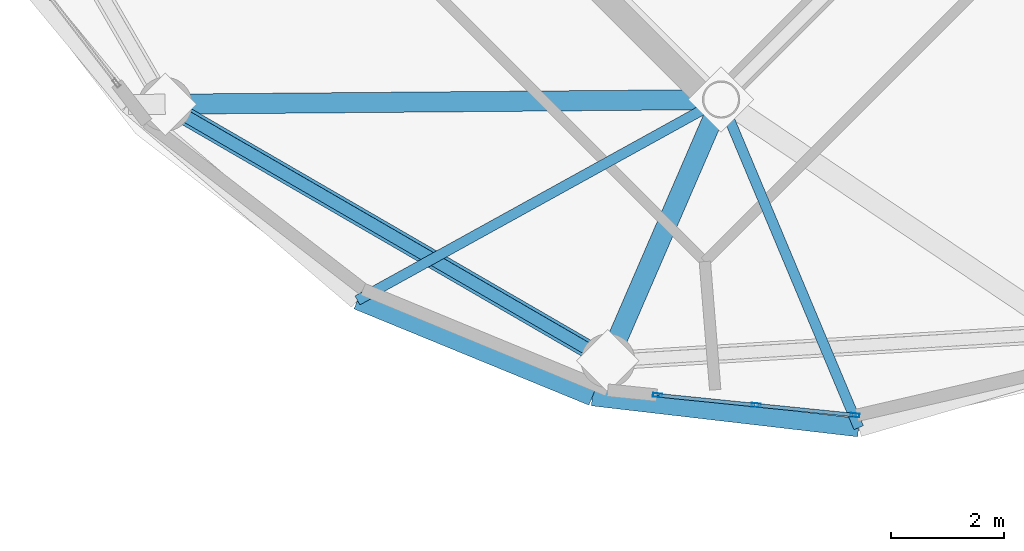
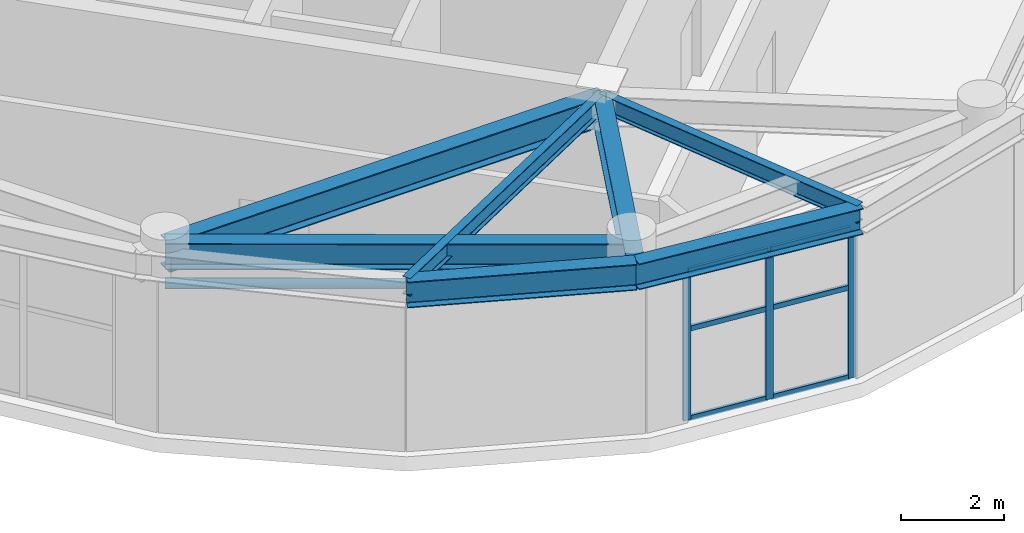
# One storey, part 13 of 26: 10 members, 7 beams, 1 element without a shape of its own.
"""IFC4 building model written with IfcOpenShell, lengths in metres."""

from ifc_helpers import new_model, si_unit, direction, frame, origin, origin_2d, place, context, subcontext, project, spatial, hollow_rectangle, hollow_circle, i_section, extrude, material, layer, layer_set, material_profile, profile_set, type_object, element, aggregate, save


model = new_model("IFC4")

# Units and contexts
model_context = context("Model", 3, precision=1e-05, world=origin(), true_north=direction((0.0, 1.0)))
body_context = subcontext(model_context, "Body", "Model", "MODEL_VIEW")
ifc_project = project(units=[si_unit("LENGTHUNIT", "METRE"), si_unit("AREAUNIT", "SQUARE_METRE"), si_unit("VOLUMEUNIT", "CUBIC_METRE"), si_unit("PLANEANGLEUNIT", "RADIAN"), si_unit("MASSUNIT", "GRAM", prefix="KILO")], contexts=[model_context])

# Site, building, storey
site_placement = place(None, origin())
site = spatial("IfcSite", under=ifc_project, at=site_placement, CompositionType="ELEMENT")
building_placement = place(site_placement, origin())
building = spatial("IfcBuilding", under=site, at=building_placement, Name="Cununo Teusaquillo Station Towers", CompositionType="ELEMENT")
storey_placement = place(building_placement, frame((0.0, 0.0, 240.330078125)))
storey = spatial("IfcBuildingStorey", under=building, at=storey_placement, Name="L76", CompositionType="ELEMENT", Elevation=240.330078125)

# Beams
ifc_material_1 = material(Name="Steel ASTM A572 Grade 50", Category="steel")
ifc_material_profile_1 = material_profile(ifc_material_1, i_section(OverallWidth=0.180908203125, OverallDepth=0.4169921875, WebThickness=0.010986328125, FlangeThickness=0.018310546875, FilletRadius=0.012939453125, at=origin_2d()), Name="W16X57")
ifc_profile_set_1 = profile_set([ifc_material_profile_1], Name="Steel ASTM A572 Grade 50")
beam_type_1 = type_object("IfcBeamType", Name="BM-JOIST-1", PredefinedType="JOIST", material=ifc_profile_set_1)
beam_1_placement = place(storey_placement, frame((58.70556640625, 15.975830078125, 3.991455078125), z_axis=(-0.8753153358, -0.483552544108, 0.0), x_axis=(0.483552544108, -0.8753153358, 0.0)))
element("IfcBeam", 1, at=beam_1_placement, inside=storey, type_object=beam_type_1, Name="L76 Tower B Radial Spandrel Joist V11", PredefinedType="JOIST", context=body_context, shape_type="SweptSolid", body=[
    extrude(i_section(OverallWidth=0.180908203125, OverallDepth=0.4169921875, WebThickness=0.010986328125, FlangeThickness=0.018310546875, FilletRadius=0.012939453125, at=origin_2d()), origin(), (0.0, 0.0, 1.0), 7.3330078125),
])
beam_2_placement = place(storey_placement, frame((58.70556640625, 15.975830078125, 3.991455078125), z_axis=(0.386786389381, -0.922169338565, 0.0), x_axis=(0.922169338565, 0.386786389381, 0.0)))
element("IfcBeam", 2, at=beam_2_placement, inside=storey, type_object=beam_type_1, Name="L76 Tower B Radial Spandrel Joist V13", PredefinedType="JOIST", context=body_context, shape_type="SweptSolid", body=[
    extrude(i_section(OverallWidth=0.180908203125, OverallDepth=0.4169921875, WebThickness=0.010986328125, FlangeThickness=0.018310546875, FilletRadius=0.012939453125, at=origin_2d()), origin(), (0.0, 0.0, 1.0), 6.281005859375),
])
ifc_material_2 = material(Name="Steel ASTM A572 Grade 50", Category="steel")
ifc_material_profile_2 = material_profile(ifc_material_2, i_section(OverallWidth=0.35498046875, OverallDepth=0.696044921875, WebThickness=0.015380859375, FlangeThickness=0.02490234375, FilletRadius=0.01806640625, at=origin_2d()), Name="W27X146")
ifc_profile_set_2 = profile_set([ifc_material_profile_2], Name="Steel ASTM A572 Grade 50")
beam_type_2 = type_object("IfcBeamType", Name="BM-PLNT-G1", PredefinedType="BEAM", material=ifc_profile_set_2)
beam_3_placement = place(storey_placement, frame((58.70556640625, 15.975830078125, 3.851806640625), z_axis=(-0.999964431382, -0.008434214327, 0.0), x_axis=(0.008434214327, -0.999964431382, 0.0)))
element("IfcBeam", 3, at=beam_3_placement, inside=storey, type_object=beam_type_2, Name="L76 Tower B Radial Girder 06A", PredefinedType="BEAM", context=body_context, shape_type="SweptSolid", body=[
    extrude(i_section(OverallWidth=0.35498046875, OverallDepth=0.696044921875, WebThickness=0.015380859375, FlangeThickness=0.02490234375, FilletRadius=0.01806640625, at=origin_2d()), origin(), (0.0, 0.0, 1.0), 9.812744140625),
])
beam_4_placement = place(storey_placement, frame((58.70556640625, 15.975830078125, 3.851806640625), z_axis=(-0.397354530893, -0.917665176837, 0.0), x_axis=(0.917665176837, -0.397354530893, 0.0)))
element("IfcBeam", 4, at=beam_4_placement, inside=storey, type_object=beam_type_2, Name="L76 Tower B Continuous Overhanging Radial Girder 07", PredefinedType="BEAM", context=body_context, shape_type="SweptSolid", body=[
    extrude(i_section(OverallWidth=0.35498046875, OverallDepth=0.696044921875, WebThickness=0.015380859375, FlangeThickness=0.02490234375, FilletRadius=0.01806640625, at=origin_2d()), origin(), (0.0, 0.0, 1.0), 5.716552734375),
])
ifc_material_3 = material(Name="Steel ASTM A572 Grade 50", Category="steel")
ifc_material_profile_3 = material_profile(ifc_material_3, i_section(OverallWidth=0.324951171875, OverallDepth=0.615966796875, WebThickness=0.013916015625, FlangeThickness=0.021484375, FilletRadius=0.01611328125, at=origin_2d()), Name="W24X117")
ifc_profile_set_3 = profile_set([ifc_material_profile_3], Name="Steel ASTM A572 Grade 50")
beam_type_3 = type_object("IfcBeamType", Name="BM-PLNT-G2", PredefinedType="BEAM", material=ifc_profile_set_3)
beam_5_placement = place(storey_placement, frame((48.89306640625, 15.89306640625, 3.891845703125), z_axis=(0.865267103202, -0.501311121078, 0.0), x_axis=(0.501311121078, 0.865267103202, 0.0)))
element("IfcBeam", 5, at=beam_5_placement, inside=storey, type_object=beam_type_3, Name="L76 Tower B Structural Column Ring Girder 06", PredefinedType="BEAM", context=body_context, shape_type="SweptSolid", body=[
    extrude(i_section(OverallWidth=0.324951171875, OverallDepth=0.615966796875, WebThickness=0.013916015625, FlangeThickness=0.021484375, FilletRadius=0.01611328125, at=origin_2d()), origin(), (0.0, 0.0, 1.0), 9.032958984375),
])
beam_6_placement = place(storey_placement, frame((52.286865234375, 12.429931640625, 3.891845703125), z_axis=(0.925283830437, -0.379275405388, 0.0), x_axis=(0.379275405388, 0.925283830437, 0.0)))
element("IfcBeam", 6, at=beam_6_placement, inside=storey, type_object=beam_type_3, Name="L76 Tower B Spandrel Ring Beam 12", PredefinedType="BEAM", context=body_context, shape_type="SweptSolid", body=[
    extrude(i_section(OverallWidth=0.324951171875, OverallDepth=0.615966796875, WebThickness=0.013916015625, FlangeThickness=0.021484375, FilletRadius=0.01611328125, at=origin_2d()), origin(), (0.0, 0.0, 1.0), 4.482177734375),
])
beam_7_placement = place(storey_placement, frame((56.43408203125, 10.72998046875, 3.891845703125), z_axis=(0.993313022334, -0.115452326356, 0.0), x_axis=(0.115452326356, 0.993313022334, 0.0)))
element("IfcBeam", 7, at=beam_7_placement, inside=storey, type_object=beam_type_3, Name="L76 Tower B Spandrel Ring Beam 13", PredefinedType="BEAM", context=body_context, shape_type="SweptSolid", body=[
    extrude(i_section(OverallWidth=0.324951171875, OverallDepth=0.615966796875, WebThickness=0.013916015625, FlangeThickness=0.021484375, FilletRadius=0.01611328125, at=origin_2d()), origin(), (0.0, 0.0, 1.0), 4.732666015625),
])

# Curtain wall, members
ifc_material_4 = material(Name="Ceramic-fritted dark low-E double glazing", Category="glass")
ifc_layer = layer(ifc_material_4, 0.179931640625)
ifc_layer_set = layer_set([ifc_layer], Name="Ceramic-fritted dark low-E double glazing")
curtain_wall_type = type_object("IfcCurtainWallType", Name="CW-SYS-08", PredefinedType="USERDEFINED", material=ifc_layer_set)
curtain_wall_placement = place(storey_placement, origin())
curtain_wall = element("IfcCurtainWall", 8, at=curtain_wall_placement, inside=storey, type_object=curtain_wall_type, Name="L76 Tower B Crown Drum Glazed Screen C12", ObjectType="FRITTED GLAZING", PredefinedType="USERDEFINED")
ifc_material_5 = material(Name="Anodised dark bronze aluminium EN AW-6063-T6", Category="aluminium")
ifc_material_profile_4 = material_profile(ifc_material_5, hollow_rectangle(XDim=0.06494140625, YDim=0.159912109375, WallThickness=0.00390625, at=origin_2d()), Name="CW-MULL-65x160")
ifc_profile_set_4 = profile_set([ifc_material_profile_4], Name="Anodised dark bronze aluminium EN AW-6063-T6")
member_type_1 = type_object("IfcMemberType", Name="CWM-160", PredefinedType="MULLION", material=ifc_profile_set_4)
member_1_placement = place(storey_placement, frame((61.068115234375, 10.404052734375, 0.0), z_axis=(0.0, 0.0, 1.0), x_axis=(-0.1005275693, -0.994934273111, 0.0)))
member_1 = element("IfcMember", 9, at=member_1_placement, type_object=member_type_1, Name="CW-08 mullion 1", PredefinedType="MULLION", context=body_context, shape_type="SweptSolid", body=[
    extrude(hollow_rectangle(XDim=0.06494140625, YDim=0.159912109375, WallThickness=0.00390625, at=origin_2d()), origin(), (0.0, 0.0, 1.0), 3.555908203125),
])
member_2_placement = place(storey_placement, frame((59.325439453125, 10.580322265625, 0.0), z_axis=(0.0, 0.0, 1.0), x_axis=(-0.1005275693, -0.994934273111, 0.0)))
member_2 = element("IfcMember", 10, at=member_2_placement, type_object=member_type_1, Name="CW-08 mullion 2", PredefinedType="MULLION", context=body_context, shape_type="SweptSolid", body=[
    extrude(hollow_rectangle(XDim=0.06494140625, YDim=0.159912109375, WallThickness=0.00390625, at=origin_2d()), origin(), (0.0, 0.0, 1.0), 3.555908203125),
])
member_3_placement = place(storey_placement, frame((57.58251953125, 10.75634765625, 0.0), z_axis=(0.0, 0.0, 1.0), x_axis=(-0.1005275693, -0.994934273111, 0.0)))
member_3 = element("IfcMember", 11, at=member_3_placement, type_object=member_type_1, Name="CW-08 mullion 3", PredefinedType="MULLION", context=body_context, shape_type="SweptSolid", body=[
    extrude(hollow_rectangle(XDim=0.06494140625, YDim=0.159912109375, WallThickness=0.00390625, at=origin_2d()), origin(), (0.0, 0.0, 1.0), 3.555908203125),
])
ifc_material_6 = material(Name="Anodised dark bronze aluminium EN AW-6063-T6", Category="aluminium")
ifc_material_profile_5 = material_profile(ifc_material_6, hollow_rectangle(XDim=0.06494140625, YDim=0.1201171875, WallThickness=0.00390625, at=origin_2d()), Name="CW-TRAN-65x120")
ifc_profile_set_5 = profile_set([ifc_material_profile_5], Name="Anodised dark bronze aluminium EN AW-6063-T6")
member_type_2 = type_object("IfcMemberType", Name="CWT-120", PredefinedType="USERDEFINED", material=ifc_profile_set_5)
member_4_placement = place(storey_placement, frame((61.03564453125, 10.407470703125, 0.032470703125), z_axis=(-0.994940697413, 0.100463966827, 0.0), x_axis=(-0.100463966827, -0.994940697413, 0.0)))
member_4 = element("IfcMember", 12, at=member_4_placement, type_object=member_type_2, Name="CW-08 transom 1.1", ObjectType="TRANSOM", PredefinedType="USERDEFINED", context=body_context, shape_type="SweptSolid", body=[
    extrude(hollow_rectangle(XDim=0.06494140625, YDim=0.1201171875, WallThickness=0.00390625, at=origin_2d()), origin(), (0.0, 0.0, 1.0), 1.6865234375),
])
member_5_placement = place(storey_placement, frame((61.03564453125, 10.407470703125, 2.14990234375), z_axis=(-0.994940697413, 0.100463966827, 0.0), x_axis=(-0.100463966827, -0.994940697413, 0.0)))
member_5 = element("IfcMember", 13, at=member_5_placement, type_object=member_type_2, Name="CW-08 transom 1.2", ObjectType="TRANSOM", PredefinedType="USERDEFINED", context=body_context, shape_type="SweptSolid", body=[
    extrude(hollow_rectangle(XDim=0.06494140625, YDim=0.1201171875, WallThickness=0.00390625, at=origin_2d()), origin(), (0.0, 0.0, 1.0), 1.6865234375),
])
member_6_placement = place(storey_placement, frame((61.03564453125, 10.407470703125, 3.5234375), z_axis=(-0.994940697413, 0.100463966827, 0.0), x_axis=(-0.100463966827, -0.994940697413, 0.0)))
member_6 = element("IfcMember", 14, at=member_6_placement, type_object=member_type_2, Name="CW-08 transom 1.3", ObjectType="TRANSOM", PredefinedType="USERDEFINED", context=body_context, shape_type="SweptSolid", body=[
    extrude(hollow_rectangle(XDim=0.06494140625, YDim=0.1201171875, WallThickness=0.00390625, at=origin_2d()), origin(), (0.0, 0.0, 1.0), 1.6865234375),
])
member_7_placement = place(storey_placement, frame((59.29296875, 10.58349609375, 0.032470703125), z_axis=(-0.994926217643, 0.100607263387, 0.0), x_axis=(-0.100607263387, -0.994926217643, 0.0)))
member_7 = element("IfcMember", 15, at=member_7_placement, type_object=member_type_2, Name="CW-08 transom 2.1", ObjectType="TRANSOM", PredefinedType="USERDEFINED", context=body_context, shape_type="SweptSolid", body=[
    extrude(hollow_rectangle(XDim=0.06494140625, YDim=0.1201171875, WallThickness=0.00390625, at=origin_2d()), origin(), (0.0, 0.0, 1.0), 1.6865234375),
])
member_8_placement = place(storey_placement, frame((59.29296875, 10.58349609375, 2.14990234375), z_axis=(-0.994926217643, 0.100607263387, 0.0), x_axis=(-0.100607263387, -0.994926217643, 0.0)))
member_8 = element("IfcMember", 16, at=member_8_placement, type_object=member_type_2, Name="CW-08 transom 2.2", ObjectType="TRANSOM", PredefinedType="USERDEFINED", context=body_context, shape_type="SweptSolid", body=[
    extrude(hollow_rectangle(XDim=0.06494140625, YDim=0.1201171875, WallThickness=0.00390625, at=origin_2d()), origin(), (0.0, 0.0, 1.0), 1.6865234375),
])
member_9_placement = place(storey_placement, frame((59.29296875, 10.58349609375, 3.5234375), z_axis=(-0.994926217643, 0.100607263387, 0.0), x_axis=(-0.100607263387, -0.994926217643, 0.0)))
member_9 = element("IfcMember", 17, at=member_9_placement, type_object=member_type_2, Name="CW-08 transom 2.3", ObjectType="TRANSOM", PredefinedType="USERDEFINED", context=body_context, shape_type="SweptSolid", body=[
    extrude(hollow_rectangle(XDim=0.06494140625, YDim=0.1201171875, WallThickness=0.00390625, at=origin_2d()), origin(), (0.0, 0.0, 1.0), 1.6865234375),
])
aggregate(curtain_wall, [member_1, member_2, member_3, member_4, member_5, member_6, member_7, member_8, member_9])

# Member
ifc_material_7 = material(Name="Steel EN 10025-2 S355J2", Category="steel")
ifc_material_profile_6 = material_profile(ifc_material_7, hollow_circle(Radius=0.109619140625, WallThickness=0.010009765625, at=origin_2d()), Name="CHS 219x10")
ifc_profile_set_6 = profile_set([ifc_material_profile_6], Name="Steel EN 10025-2 S355J2")
member_type_3 = type_object("IfcMemberType", Name="MBR-DRUM-COL", PredefinedType="COLLAR", material=ifc_profile_set_6)
member_10_placement = place(storey_placement, frame((48.89306640625, 15.89306640625, 3.14990234375), z_axis=(0.865267103202, -0.501311121078, 0.0), x_axis=(0.501311121078, 0.865267103202, 0.0)))
element("IfcMember", 18, at=member_10_placement, inside=storey, type_object=member_type_3, Name="L76 Tower B Crown Drum Collar 06", PredefinedType="COLLAR", context=body_context, shape_type="SweptSolid", body=[
    extrude(hollow_circle(Radius=0.109619140625, WallThickness=0.010009765625, at=origin_2d()), origin(), (0.0, 0.0, 1.0), 9.032958984375),
])

save(model, "model.ifc")
